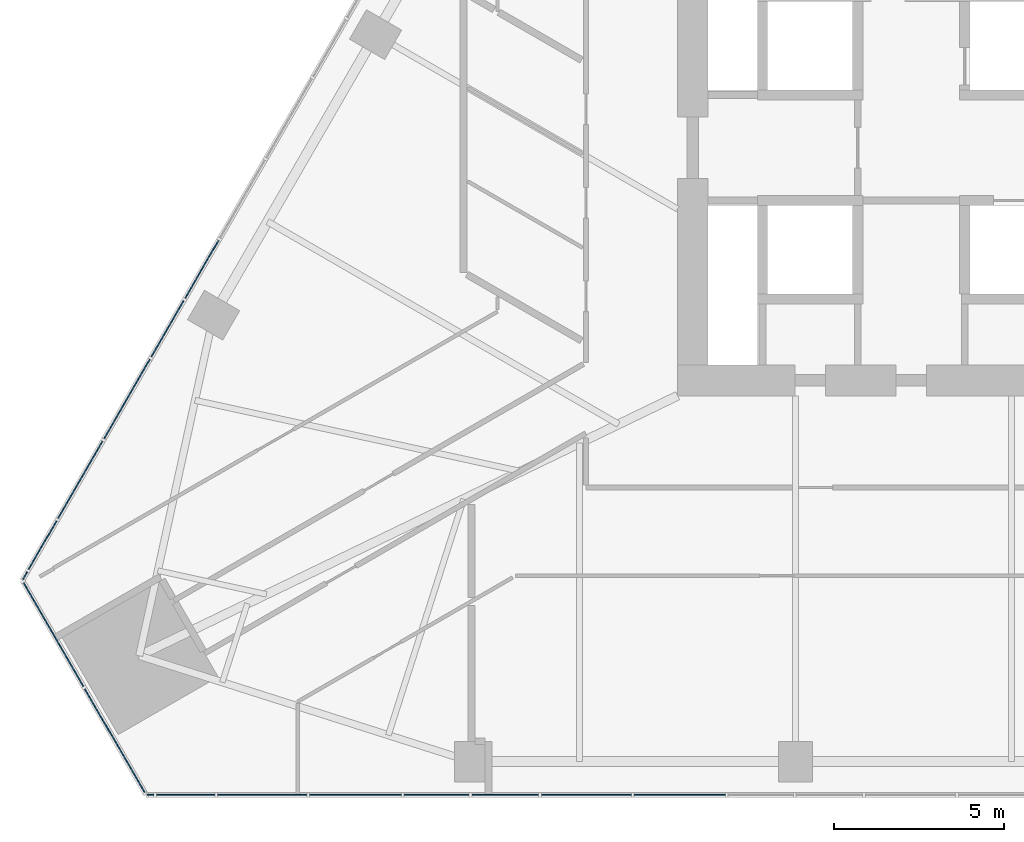
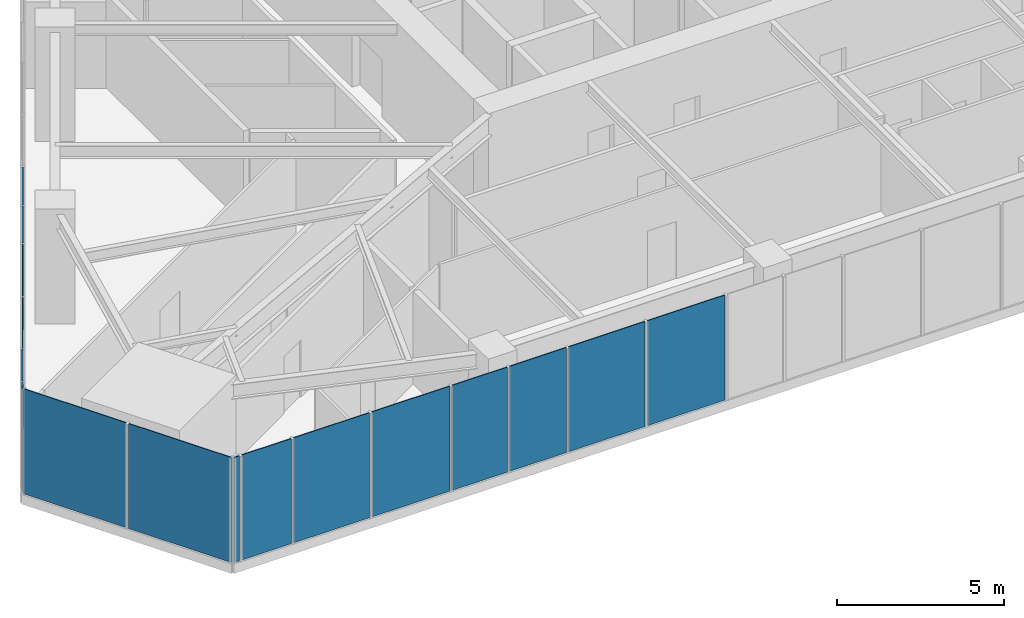
# One storey, part 13 of 25: 16 plates, 3 elements without a shape of their own.
"""IFC4 building model written with IfcOpenShell, lengths in metres."""

from ifc_helpers import new_model, si_unit, direction, frame, origin, place, context, subcontext, project, spatial, polyline, outline, extrude, material, layer, layer_set, type_object, element, aggregate, save


model = new_model("IFC4")

# Units and contexts
model_context = context("Model", 3, precision=1e-05, world=origin(), true_north=direction((0.0, 1.0)))
body_context = subcontext(model_context, "Body", "Model", "MODEL_VIEW")
ifc_project = project(units=[si_unit("LENGTHUNIT", "METRE"), si_unit("AREAUNIT", "SQUARE_METRE"), si_unit("VOLUMEUNIT", "CUBIC_METRE"), si_unit("PLANEANGLEUNIT", "RADIAN"), si_unit("MASSUNIT", "GRAM", prefix="KILO")], contexts=[model_context])

# Site, building, storey
site_placement = place(None, origin())
site = spatial("IfcSite", under=ifc_project, at=site_placement, CompositionType="ELEMENT")
building_placement = place(site_placement, origin())
building = spatial("IfcBuilding", under=site, at=building_placement, Name="Firuza Gate Tower and Library", CompositionType="ELEMENT")
storey_placement = place(building_placement, frame((0.0, 0.0, 61.0)))
storey = spatial("IfcBuildingStorey", under=building, at=storey_placement, Name="L13", CompositionType="ELEMENT", Elevation=61.0)

# Curtain wall, plates
ifc_material_1 = material(Name="Aluminium 6063-T6", Category="aluminium")
ifc_layer_1 = layer(ifc_material_1, 0.14990234375)
ifc_layer_set_1 = layer_set([ifc_layer_1], Name="Corner curtain wall, chamfers")
curtain_wall_type_1 = type_object("IfcCurtainWallType", Name="Corner curtain wall, chamfers", PredefinedType="NOTDEFINED", material=ifc_layer_set_1)
placement = place(storey_placement, origin())
curtain_wall_1 = element("IfcCurtainWall", 1, at=placement, inside=storey, type_object=curtain_wall_type_1, Name="CW4 L13 SW corner", PredefinedType="NOTDEFINED")
ifc_material_2 = material(Name="Fritted glass", Category="glass")
ifc_layer_2 = layer(ifc_material_2, 0.030029296875)
ifc_layer_set_2 = layer_set([ifc_layer_2], Name="Fritted glass unit, corners")
plate_type_1 = type_object("IfcPlateType", Name="Fritted glass unit, corners", PredefinedType="CURTAIN_PANEL", material=ifc_layer_set_2)
plate_1_placement = place(storey_placement, frame((42.717041015625, 60.522216796875, 0.14990234375), z_axis=(-0.866016723041, -0.500015035186, 0.0), x_axis=(0.500015035186, -0.866016723041, 0.0)))
plate_1 = element("IfcPlate", 2, at=plate_1_placement, type_object=plate_type_1, Name="Glass unit", PredefinedType="CURTAIN_PANEL", context=body_context, shape_type="SweptSolid", body=[
    extrude(outline(polyline([(0.0, 0.0), (3.5633694106530625, 0.0), (3.5633694106530625, 3.85009765625), (0.0, 3.85009765625), (0.0, 0.0)])), origin(), (0.0, 0.0, -1.0), 0.030029296875),
])
plate_2_placement = place(storey_placement, frame((44.53857421875, 57.366943359375, 0.14990234375), z_axis=(-0.866016723041, -0.500015035186, 0.0), x_axis=(0.500015035186, -0.866016723041, 0.0)))
plate_2 = element("IfcPlate", 3, at=plate_2_placement, type_object=plate_type_1, Name="Glass unit", PredefinedType="CURTAIN_PANEL", context=body_context, shape_type="SweptSolid", body=[
    extrude(outline(polyline([(0.0, 0.0), (3.5633694106530625, 0.0), (3.5633694106530625, 3.85009765625), (0.0, 3.85009765625), (0.0, 0.0)])), origin(), (0.0, 0.0, -1.0), 0.030029296875),
])
aggregate(curtain_wall_1, [plate_1, plate_2])

ifc_material_3 = material(Name="Aluminium 6063-T6", Category="aluminium")
ifc_layer_3 = layer(ifc_material_3, 0.14990234375)
ifc_layer_set_3 = layer_set([ifc_layer_3], Name="Unitised curtain wall, offices")
curtain_wall_type_2 = type_object("IfcCurtainWallType", Name="Unitised curtain wall, offices", PredefinedType="NOTDEFINED", material=ifc_layer_set_3)
curtain_wall_2 = element("IfcCurtainWall", 4, at=placement, inside=storey, type_object=curtain_wall_type_2, Name="CW1 L13 S face", PredefinedType="NOTDEFINED")
ifc_material_4 = material(Name="Fritted glass", Category="glass")
ifc_layer_4 = layer(ifc_material_4, 0.030029296875)
ifc_layer_set_4 = layer_set([ifc_layer_4], Name="Fritted glass unit, offices")
plate_type_2 = type_object("IfcPlateType", Name="Fritted glass unit, offices", PredefinedType="CURTAIN_PANEL", material=ifc_layer_set_4)
plate_3_placement = place(storey_placement, frame((46.659423828125, 54.239013671875, 0.14990234375), z_axis=(0.0, -1.0, 0.0), x_axis=(1.0, 0.0, 0.0)))
plate_3 = element("IfcPlate", 5, at=plate_3_placement, type_object=plate_type_2, Name="Glass unit", PredefinedType="CURTAIN_PANEL", context=body_context, shape_type="SweptSolid", body=[
    extrude(outline(polyline([(0.0, 0.0), (1.718505859375, 0.0), (1.718505859375, 3.85009765625), (0.0, 3.85009765625), (0.0, 0.0)])), origin(), (0.0, 0.0, -1.0), 0.030029296875),
])
plate_4_placement = place(storey_placement, frame((53.94970703125, 54.239013671875, 0.14990234375), z_axis=(0.0, -1.0, 0.0), x_axis=(1.0, 0.0, 0.0)))
plate_4 = element("IfcPlate", 6, at=plate_4_placement, type_object=plate_type_2, Name="Glass unit", PredefinedType="CURTAIN_PANEL", context=body_context, shape_type="SweptSolid", body=[
    extrude(outline(polyline([(0.0, 0.0), (1.91259765625, 0.0), (1.91259765625, 3.85009765625), (0.0, 3.85009765625), (0.0, 0.0)])), origin(), (0.0, 0.0, -1.0), 0.030029296875),
])
plate_5_placement = place(storey_placement, frame((55.942138671875, 54.239013671875, 0.14990234375), z_axis=(0.0, -1.0, 0.0), x_axis=(1.0, 0.0, 0.0)))
plate_5 = element("IfcPlate", 7, at=plate_5_placement, type_object=plate_type_2, Name="Glass unit", PredefinedType="CURTAIN_PANEL", context=body_context, shape_type="SweptSolid", body=[
    extrude(outline(polyline([(0.0, 0.0), (1.97021484375, 0.0), (1.97021484375, 3.85009765625), (0.0, 3.85009765625), (0.0, 0.0)])), origin(), (0.0, 0.0, -1.0), 0.030029296875),
])

curtain_wall_3 = element("IfcCurtainWall", 8, at=placement, inside=storey, type_object=curtain_wall_type_2, Name="CW1 L13 W face", PredefinedType="NOTDEFINED")
plate_6_placement = place(storey_placement, frame((48.4765625, 70.582275390625, 0.14990234375), z_axis=(-0.866030824681, 0.499990610615, 0.0), x_axis=(-0.499990610615, -0.866030824681, 0.0)))
plate_6 = element("IfcPlate", 9, at=plate_6_placement, type_object=plate_type_2, Name="Glass unit", PredefinedType="CURTAIN_PANEL", context=body_context, shape_type="SweptSolid", body=[
    extrude(outline(polyline([(0.0, 0.0), (1.970251842657166, 0.0), (1.970251842657166, 3.85009765625), (0.0, 3.85009765625), (0.0, 0.0)])), origin(), (0.0, 0.0, -1.0), 0.030029296875),
])
plate_7_placement = place(storey_placement, frame((47.451416015625, 68.806640625, 0.14990234375), z_axis=(-0.866034629516, 0.499984020225, 0.0), x_axis=(-0.499984020225, -0.866034629516, 0.0)))
plate_7 = element("IfcPlate", 10, at=plate_7_placement, type_object=plate_type_2, Name="Glass unit", PredefinedType="CURTAIN_PANEL", context=body_context, shape_type="SweptSolid", body=[
    extrude(outline(polyline([(0.0, 0.0), (1.9121704871101466, 0.0), (1.9121704871101466, 3.85009765625), (0.0, 3.85009765625), (0.0, 0.0)])), origin(), (0.0, 0.0, -1.0), 0.030029296875),
])
plate_8_placement = place(storey_placement, frame((43.709228515625, 62.3251953125, 0.14990234375), z_axis=(-0.866035590988, 0.499982354831, 0.0), x_axis=(-0.499982354831, -0.866035590988, 0.0)))
plate_8 = element("IfcPlate", 11, at=plate_8_placement, type_object=plate_type_2, Name="Glass unit", PredefinedType="CURTAIN_PANEL", context=body_context, shape_type="SweptSolid", body=[
    extrude(outline(polyline([(0.0, 0.0), (1.6533786607913612, 0.0), (1.6533786607913612, 3.85009765625), (0.0, 3.85009765625), (0.0, 0.0)])), origin(), (0.0, 0.0, -1.0), 0.030029296875),
])

# Plate
ifc_material_5 = material(Name="Glazed ceramic tile")
ifc_layer_5 = layer(ifc_material_5, 0.030029296875)
ifc_layer_set_5 = layer_set([ifc_layer_5], Name="Opaque ceramic panel, offices")
plate_type_3 = type_object("IfcPlateType", Name="Opaque ceramic panel, offices", PredefinedType="CURTAIN_PANEL", material=ifc_layer_set_5)
plate_9_placement = place(storey_placement, frame((46.393310546875, 54.239013671875, 0.14990234375), z_axis=(0.0, -1.0, 0.0), x_axis=(1.0, 0.0, 0.0)))
plate_9 = element("IfcPlate", 12, at=plate_9_placement, type_object=plate_type_3, Name="Opaque ceramic panel", PredefinedType="CURTAIN_PANEL", context=body_context, shape_type="SweptSolid", body=[
    extrude(outline(polyline([(0.0, 0.0), (0.18603515625, 0.0), (0.18603515625, 3.85009765625), (0.0, 3.85009765625), (0.0, 0.0)])), origin(), (0.0, 0.0, -1.0), 0.030029296875),
])

plate_10_placement = place(storey_placement, frame((48.4580078125, 54.239013671875, 0.14990234375), z_axis=(0.0, -1.0, 0.0), x_axis=(1.0, 0.0, 0.0)))
plate_10 = element("IfcPlate", 13, at=plate_10_placement, type_object=plate_type_3, Name="Opaque ceramic panel", PredefinedType="CURTAIN_PANEL", context=body_context, shape_type="SweptSolid", body=[
    extrude(outline(polyline([(0.0, 0.0), (2.6298828125, 0.0), (2.6298828125, 3.85009765625), (0.0, 3.85009765625), (0.0, 0.0)])), origin(), (0.0, 0.0, -1.0), 0.030029296875),
])

plate_11_placement = place(storey_placement, frame((51.167724609375, 54.239013671875, 0.14990234375), z_axis=(0.0, -1.0, 0.0), x_axis=(1.0, 0.0, 0.0)))
plate_11 = element("IfcPlate", 14, at=plate_11_placement, type_object=plate_type_3, Name="Opaque ceramic panel", PredefinedType="CURTAIN_PANEL", context=body_context, shape_type="SweptSolid", body=[
    extrude(outline(polyline([(0.0, 0.0), (2.7021484375, 0.0), (2.7021484375, 3.85009765625), (0.0, 3.85009765625), (0.0, 0.0)])), origin(), (0.0, 0.0, -1.0), 0.030029296875),
])

plate_12_placement = place(storey_placement, frame((57.992431640625, 54.239013671875, 0.14990234375), z_axis=(0.0, -1.0, 0.0), x_axis=(1.0, 0.0, 0.0)))
plate_12 = element("IfcPlate", 15, at=plate_12_placement, type_object=plate_type_3, Name="Opaque ceramic panel", PredefinedType="CURTAIN_PANEL", context=body_context, shape_type="SweptSolid", body=[
    extrude(outline(polyline([(0.0, 0.0), (2.644287109375, 0.0), (2.644287109375, 3.85009765625), (0.0, 3.85009765625), (0.0, 0.0)])), origin(), (0.0, 0.0, -1.0), 0.030029296875),
])

plate_13_placement = place(storey_placement, frame((60.716552734375, 54.239013671875, 0.14990234375), z_axis=(0.0, -1.0, 0.0), x_axis=(1.0, 0.0, 0.0)))
plate_13 = element("IfcPlate", 16, at=plate_13_placement, type_object=plate_type_3, Name="Opaque ceramic panel", PredefinedType="CURTAIN_PANEL", context=body_context, shape_type="SweptSolid", body=[
    extrude(outline(polyline([(0.0, 0.0), (2.687744140625, 0.0), (2.687744140625, 3.85009765625), (0.0, 3.85009765625), (0.0, 0.0)])), origin(), (0.0, 0.0, -1.0), 0.030029296875),
])

aggregate(curtain_wall_2, [plate_9, plate_3, plate_10, plate_11, plate_4, plate_5, plate_12, plate_13])

plate_14_placement = place(storey_placement, frame((46.455322265625, 67.081298828125, 0.14990234375), z_axis=(-0.866021582578, 0.500006618465, 0.0), x_axis=(-0.500006618465, -0.866021582578, 0.0)))
plate_14 = element("IfcPlate", 17, at=plate_14_placement, type_object=plate_type_3, Name="Opaque ceramic panel", PredefinedType="CURTAIN_PANEL", context=body_context, shape_type="SweptSolid", body=[
    extrude(outline(polyline([(0.0, 0.0), (2.7021126698235003, 0.0), (2.7021126698235003, 3.85009765625), (0.0, 3.85009765625), (0.0, 0.0)])), origin(), (0.0, 0.0, -1.0), 0.030029296875),
])

plate_15_placement = place(storey_placement, frame((45.064208984375, 64.671875, 0.14990234375), z_axis=(-0.866006239939, 0.500033191285, 0.0), x_axis=(-0.500033191285, -0.866006239939, 0.0)))
plate_15 = element("IfcPlate", 18, at=plate_15_placement, type_object=plate_type_3, Name="Opaque ceramic panel", PredefinedType="CURTAIN_PANEL", context=body_context, shape_type="SweptSolid", body=[
    extrude(outline(polyline([(0.0, 0.0), (2.629708245706126, 0.0), (2.629708245706126, 3.85009765625), (0.0, 3.85009765625), (0.0, 0.0)])), origin(), (0.0, 0.0, -1.0), 0.030029296875),
])

plate_16_placement = place(storey_placement, frame((42.842529296875, 60.823974609375, 0.14990234375), z_axis=(-0.866201770413, 0.499694399542, 0.0), x_axis=(-0.499694399542, -0.866201770413, 0.0)))
plate_16 = element("IfcPlate", 19, at=plate_16_placement, type_object=plate_type_3, Name="Opaque ceramic panel", PredefinedType="CURTAIN_PANEL", context=body_context, shape_type="SweptSolid", body=[
    extrude(outline(polyline([(0.0, 0.0), (0.25113005341856437, 0.0), (0.25113005341856437, 3.85009765625), (0.0, 3.85009765625), (0.0, 0.0)])), origin(), (0.0, 0.0, -1.0), 0.030029296875),
])

aggregate(curtain_wall_3, [plate_6, plate_7, plate_14, plate_15, plate_8, plate_16])

save(model, "model.ifc")
